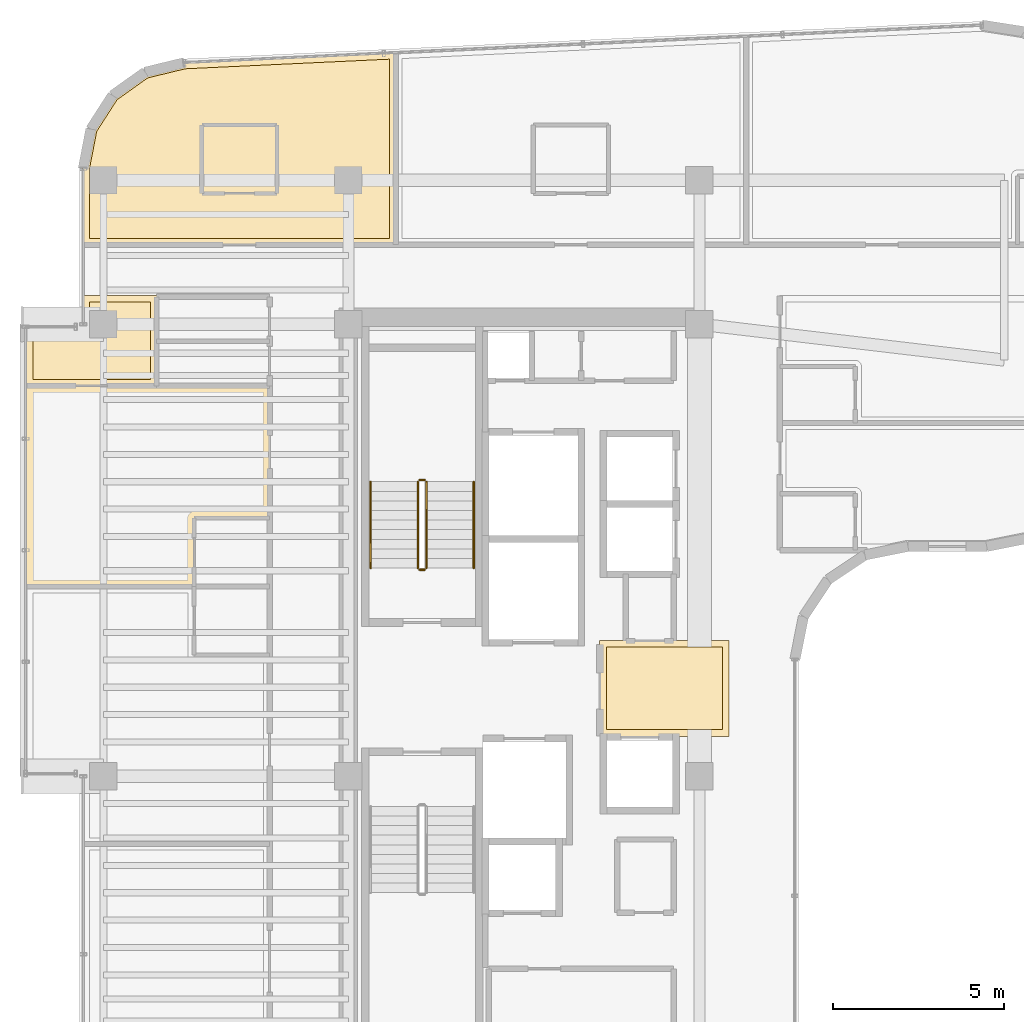
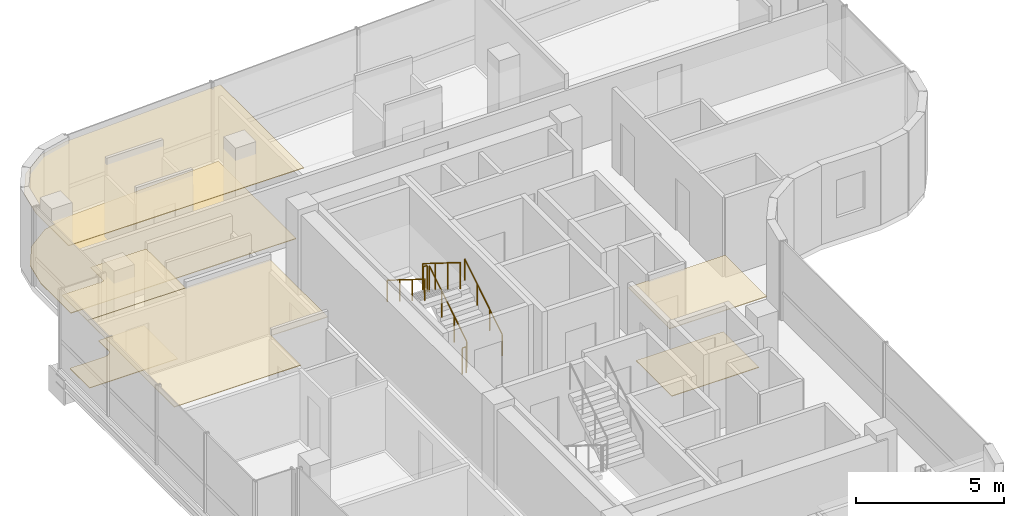
# One storey, part 19 of 20: 7 coverings, 6 railings.
"""IFC4 building model written with IfcOpenShell, lengths in metres."""

from ifc_helpers import new_model, si_unit, direction, frame, origin, origin_2d, place, context, subcontext, project, spatial, polyline, circle, outline, extrude, material, layer, layer_set, type_object, element, save


model = new_model("IFC4")

# Units and contexts
model_context = context("Model", 3, precision=1e-05, world=origin(), true_north=direction((0.0, 1.0)))
body_context = subcontext(model_context, "Body", "Model", "MODEL_VIEW")
ifc_project = project(units=[si_unit("LENGTHUNIT", "METRE"), si_unit("AREAUNIT", "SQUARE_METRE"), si_unit("VOLUMEUNIT", "CUBIC_METRE"), si_unit("PLANEANGLEUNIT", "RADIAN"), si_unit("MASSUNIT", "GRAM", prefix="KILO")], contexts=[model_context])

# Site, building, storey
site_placement = place(None, origin())
site = spatial("IfcSite", under=ifc_project, at=site_placement, CompositionType="ELEMENT")
building_placement = place(site_placement, origin())
building = spatial("IfcBuilding", under=site, at=building_placement, Name="Valdorenza Pilgrim Sanctuary Tower", CompositionType="ELEMENT")
storey_placement = place(building_placement, frame((0.0, 0.0, 240.5)))
storey = spatial("IfcBuildingStorey", under=building, at=storey_placement, Name="L62", CompositionType="ELEMENT", Elevation=240.5)

# Coverings
ifc_material_1 = material(Name="Micro-perforated acoustic mineral ceiling tile", Category="gypsum")
ifc_layer_1 = layer(ifc_material_1, 0.02490234375, Name="Micro-perforated acoustic mineral ceiling tile")
ifc_layer_set_1 = layer_set([ifc_layer_1], Name="Micro-perforated acoustic mineral ceiling tile")
covering_type_1 = type_object("IfcCoveringType", Name="COV-CLG-ACU", PredefinedType="CEILING", material=ifc_layer_set_1)
covering_1_placement = place(storey_placement, frame((0.0, 0.0, 2.9599609375)))
element("IfcCovering", 1, at=covering_1_placement, inside=storey, type_object=covering_type_1, Name="L62 Core A Passenger Lift Lobby Acoustic Ceiling", PredefinedType="CEILING", context=body_context, shape_type="SweptSolid", body=[
    extrude(outline(polyline([(-15.31494140625, 1.35009765625), (-15.31494140625, 1.3515625), (-15.314697265625, 1.352783203125), (-15.314453125, 1.3544921875), (-15.31396484375, 1.355712890625), (-15.313232421875, 1.357177734375), (-15.3125, 1.3583984375), (-15.3115234375, 1.359619140625), (-15.310546875, 1.360595703125), (-15.3095703125, 1.361572265625), (-15.308349609375, 1.362548828125), (-15.30712890625, 1.36328125), (-15.3056640625, 1.364013671875), (-15.304443359375, 1.364501953125), (-15.302978515625, 1.36474609375), (-15.301513671875, 1.364990234375), (-15.300048828125, 1.364990234375), (-11.550048828125, 1.364990234375), (-11.548583984375, 1.364990234375), (-11.547119140625, 1.36474609375), (-11.545654296875, 1.364501953125), (-11.544189453125, 1.364013671875), (-11.54296875, 1.36328125), (-11.541748046875, 1.362548828125), (-11.54052734375, 1.361572265625), (-11.539306640625, 1.360595703125), (-11.538330078125, 1.359619140625), (-11.53759765625, 1.3583984375), (-11.536865234375, 1.357177734375), (-11.5361328125, 1.355712890625), (-11.53564453125, 1.3544921875), (-11.535400390625, 1.352783203125), (-11.53515625, 1.3515625), (-11.534912109375, 1.35009765625), (-11.534912109375, -1.419921875), (-11.53515625, -1.42138671875), (-11.535400390625, -1.4228515625), (-11.53564453125, -1.42431640625), (-11.5361328125, -1.42578125), (-11.536865234375, -1.427001953125), (-11.53759765625, -1.42822265625), (-11.538330078125, -1.429443359375), (-11.539306640625, -1.4306640625), (-11.54052734375, -1.431640625), (-11.541748046875, -1.4326171875), (-11.54296875, -1.43310546875), (-11.544189453125, -1.433837890625), (-11.545654296875, -1.434326171875), (-11.547119140625, -1.434814453125), (-11.548583984375, -1.434814453125), (-11.550048828125, -1.43505859375), (-15.298095703125, -1.43505859375), (-15.299560546875, -1.434814453125), (-15.30078125, -1.434814453125), (-15.302490234375, -1.434326171875), (-15.3037109375, -1.433837890625), (-15.30517578125, -1.43310546875), (-15.306396484375, -1.4326171875), (-15.3076171875, -1.431640625), (-15.30859375, -1.4306640625), (-15.3095703125, -1.429443359375), (-15.310546875, -1.42822265625), (-15.311279296875, -1.427001953125), (-15.31201171875, -1.42578125), (-15.3125, -1.42431640625), (-15.312744140625, -1.4228515625), (-15.31298828125, -1.42138671875), (-15.31298828125, -1.419921875), (-15.31298828125, 1.244384765625), (-15.31298828125, 1.24462890625), (-15.313720703125, 1.24609375), (-15.314208984375, 1.24755859375), (-15.314697265625, 1.2490234375), (-15.31494140625, 1.25048828125), (-15.31494140625, 1.251953125), (-15.31494140625, 1.35009765625)])), origin(), (0.0, 0.0, 1.0), 0.025146484375),
])
covering_2_placement = place(storey_placement, frame((0.0, 0.0, 2.9599609375)))
element("IfcCovering", 2, at=covering_2_placement, inside=storey, type_object=covering_type_1, Name="L62 Pilgrim Scholar Office L62-WN Acoustic Ceiling", PredefinedType="CEILING", context=body_context, shape_type="SweptSolid", body=[
    extrude(outline(polyline([(-28.237060546875, 11.39453125), (-28.237060546875, 10.103759765625), (-28.23681640625, 10.10302734375), (-28.23681640625, 10.1015625), (-28.23681640625, 10.10009765625), (-28.23681640625, 10.098388671875), (-28.237060546875, 10.09814453125), (-28.237060546875, 8.800048828125), (-28.237060546875, 8.798583984375), (-28.2373046875, 8.797119140625), (-28.237548828125, 8.795654296875), (-28.238037109375, 8.794189453125), (-28.23876953125, 8.79296875), (-28.239501953125, 8.791748046875), (-28.240478515625, 8.79052734375), (-28.241455078125, 8.789306640625), (-28.242431640625, 8.788330078125), (-28.24365234375, 8.78759765625), (-28.244873046875, 8.786865234375), (-28.246337890625, 8.7861328125), (-28.24755859375, 8.78564453125), (-28.2490234375, 8.785400390625), (-28.25048828125, 8.78515625), (-28.251953125, 8.784912109375), (-32.0400390625, 8.784912109375), (-32.04150390625, 8.78515625), (-32.04296875, 8.785400390625), (-32.04443359375, 8.78564453125), (-32.045654296875, 8.7861328125), (-32.047119140625, 8.786865234375), (-32.04833984375, 8.78759765625), (-32.049560546875, 8.788330078125), (-32.050537109375, 8.789306640625), (-32.051513671875, 8.79052734375), (-32.052490234375, 8.791748046875), (-32.05322265625, 8.79296875), (-32.053955078125, 8.794189453125), (-32.054443359375, 8.795654296875), (-32.0546875, 8.797119140625), (-32.054931640625, 8.798583984375), (-32.054931640625, 8.800048828125), (-32.054931640625, 10.489990234375), (-32.054931640625, 10.491455078125), (-32.0546875, 10.492919921875), (-32.054443359375, 10.494384765625), (-32.053955078125, 10.49560546875), (-32.05322265625, 10.4970703125), (-32.052490234375, 10.498291015625), (-32.051513671875, 10.49951171875), (-32.050537109375, 10.50048828125), (-32.049560546875, 10.501708984375), (-32.04833984375, 10.50244140625), (-32.047119140625, 10.503173828125), (-32.045654296875, 10.50390625), (-32.04443359375, 10.50439453125), (-32.04296875, 10.504638671875), (-32.04150390625, 10.5048828125), (-32.0400390625, 10.5048828125), (-30.50048828125, 10.5048828125), (-30.49072265625, 10.505615234375), (-30.4814453125, 10.5068359375), (-30.472412109375, 10.509033203125), (-30.463623046875, 10.51220703125), (-30.455078125, 10.51611328125), (-30.447265625, 10.52099609375), (-30.439697265625, 10.526611328125), (-30.432861328125, 10.53271484375), (-30.426513671875, 10.539794921875), (-30.4208984375, 10.547119140625), (-30.416259765625, 10.55517578125), (-30.412109375, 10.563720703125), (-30.4091796875, 10.572509765625), (-30.40673828125, 10.58154296875), (-30.405517578125, 10.5908203125), (-30.405029296875, 10.600341796875), (-30.405029296875, 11.419921875), (-30.40478515625, 11.42138671875), (-30.40478515625, 11.4228515625), (-30.404296875, 11.42431640625), (-30.40380859375, 11.42578125), (-30.4033203125, 11.427001953125), (-30.402587890625, 11.42822265625), (-30.401611328125, 11.429443359375), (-30.400634765625, 11.4306640625), (-30.3994140625, 11.431640625), (-30.398193359375, 11.4326171875), (-30.397216796875, 11.43310546875), (-30.395751953125, 11.433837890625), (-30.394287109375, 11.434326171875), (-30.392822265625, 11.434814453125), (-30.3916015625, 11.434814453125), (-30.389892578125, 11.43505859375), (-28.25, 11.43505859375), (-28.24853515625, 11.434814453125), (-28.2470703125, 11.434814453125), (-28.24560546875, 11.434326171875), (-28.244384765625, 11.433837890625), (-28.242919921875, 11.43310546875), (-28.24169921875, 11.4326171875), (-28.240478515625, 11.431640625), (-28.239501953125, 11.4306640625), (-28.23828125, 11.429443359375), (-28.237548828125, 11.42822265625), (-28.23681640625, 11.427001953125), (-28.236083984375, 11.42578125), (-28.235595703125, 11.42431640625), (-28.2353515625, 11.4228515625), (-28.235107421875, 11.42138671875), (-28.235107421875, 11.419921875), (-28.235107421875, 11.402099609375), (-28.235107421875, 11.400390625), (-28.2353515625, 11.39892578125), (-28.235595703125, 11.3974609375), (-28.236083984375, 11.39599609375), (-28.23681640625, 11.394775390625), (-28.237060546875, 11.39453125)])), origin(), (0.0, 0.0, 1.0), 0.025146484375),
])
covering_3_placement = place(storey_placement, frame((0.0, 0.0, 2.9599609375)))
element("IfcCovering", 3, at=covering_3_placement, inside=storey, type_object=covering_type_1, Name="L62 Pilgrim Guest Room L62-HW2 Acoustic Ceiling", PredefinedType="CEILING", context=body_context, shape_type="SweptSolid", body=[
    extrude(outline(polyline([(-28.253662109375, 8.81298828125), (-28.253173828125, 8.81298828125), (-28.25146484375, 8.813232421875), (-28.25, 8.813232421875), (-28.24853515625, 8.81298828125), (-28.248291015625, 8.81298828125), (-24.949951171875, 8.81298828125), (-24.948486328125, 8.81298828125), (-24.947021484375, 8.812744140625), (-24.945556640625, 8.8125), (-24.9443359375, 8.81201171875), (-24.94287109375, 8.811279296875), (-24.941650390625, 8.810546875), (-24.9404296875, 8.8095703125), (-24.939453125, 8.80859375), (-24.9384765625, 8.8076171875), (-24.9375, 8.806396484375), (-24.936767578125, 8.80517578125), (-24.93603515625, 8.8037109375), (-24.935546875, 8.802490234375), (-24.935302734375, 8.80078125), (-24.93505859375, 8.799560546875), (-24.93505859375, 8.798095703125), (-24.93505859375, 4.93798828125), (-24.93505859375, 4.9365234375), (-24.935302734375, 4.93505859375), (-24.935546875, 4.93359375), (-24.93603515625, 4.932373046875), (-24.936767578125, 4.930908203125), (-24.9375, 4.9296875), (-24.9384765625, 4.928466796875), (-24.939453125, 4.927490234375), (-24.9404296875, 4.926513671875), (-24.941650390625, 4.925537109375), (-24.94287109375, 4.9248046875), (-24.9443359375, 4.924072265625), (-24.945556640625, 4.923583984375), (-24.947021484375, 4.92333984375), (-24.948486328125, 4.923095703125), (-24.949951171875, 4.923095703125), (-27.136962890625, 4.923095703125), (-27.136962890625, 2.93798828125), (-27.13720703125, 2.9365234375), (-27.13720703125, 2.93505859375), (-27.1376953125, 2.93359375), (-27.13818359375, 2.932373046875), (-27.138916015625, 2.930908203125), (-27.139404296875, 2.9296875), (-27.140380859375, 2.928466796875), (-27.141357421875, 2.927490234375), (-27.142578125, 2.926513671875), (-27.143798828125, 2.925537109375), (-27.14501953125, 2.9248046875), (-27.146240234375, 2.924072265625), (-27.147705078125, 2.923583984375), (-27.149169921875, 2.92333984375), (-27.150390625, 2.923095703125), (-27.152099609375, 2.923095703125), (-32.0400390625, 2.923095703125), (-32.04150390625, 2.923095703125), (-32.04296875, 2.92333984375), (-32.04443359375, 2.923583984375), (-32.045654296875, 2.924072265625), (-32.047119140625, 2.9248046875), (-32.04833984375, 2.925537109375), (-32.049560546875, 2.926513671875), (-32.050537109375, 2.927490234375), (-32.051513671875, 2.928466796875), (-32.052490234375, 2.9296875), (-32.05322265625, 2.930908203125), (-32.053955078125, 2.932373046875), (-32.054443359375, 2.93359375), (-32.0546875, 2.93505859375), (-32.054931640625, 2.9365234375), (-32.054931640625, 2.93798828125), (-32.054931640625, 8.798095703125), (-32.054931640625, 8.799560546875), (-32.0546875, 8.80078125), (-32.054443359375, 8.802490234375), (-32.053955078125, 8.8037109375), (-32.05322265625, 8.80517578125), (-32.052490234375, 8.806396484375), (-32.051513671875, 8.8076171875), (-32.050537109375, 8.80859375), (-32.049560546875, 8.8095703125), (-32.04833984375, 8.810546875), (-32.047119140625, 8.811279296875), (-32.045654296875, 8.81201171875), (-32.04443359375, 8.8125), (-32.04296875, 8.812744140625), (-32.04150390625, 8.81298828125), (-32.0400390625, 8.81298828125), (-28.253662109375, 8.81298828125)])), origin(), (0.0, 0.0, 1.0), 0.025146484375),
])
covering_4_placement = place(storey_placement, frame((0.0, 0.0, 2.9599609375)))
element("IfcCovering", 4, at=covering_4_placement, inside=storey, type_object=covering_type_1, Name="L62 North Guest Room L62-N1 Acoustic Ceiling", PredefinedType="CEILING", context=body_context, shape_type="SweptSolid", body=[
    extrude(outline(polyline([(-30.181396484375, 16.298095703125), (-30.180908203125, 16.299560546875), (-30.180419921875, 16.30078125), (-30.179931640625, 16.30224609375), (-30.17919921875, 16.303466796875), (-29.547119140625, 17.286865234375), (-29.546142578125, 17.2880859375), (-29.545166015625, 17.2890625), (-29.544189453125, 17.2900390625), (-29.54296875, 17.291015625), (-28.59033203125, 17.968994140625), (-28.589111328125, 17.9697265625), (-28.587890625, 17.97021484375), (-28.586669921875, 17.970947265625), (-28.585205078125, 17.97119140625), (-27.438720703125, 18.248779296875), (-27.437255859375, 18.249267578125), (-27.435791015625, 18.249267578125), (-21.267578125, 18.5400390625), (-21.26611328125, 18.5400390625), (-21.2646484375, 18.539794921875), (-21.26318359375, 18.53955078125), (-21.26171875, 18.5390625), (-21.260498046875, 18.53857421875), (-21.259033203125, 18.537841796875), (-21.2578125, 18.536865234375), (-21.256591796875, 18.535888671875), (-21.255615234375, 18.534912109375), (-21.254638671875, 18.53369140625), (-21.25390625, 18.532470703125), (-21.253173828125, 18.531005859375), (-21.252685546875, 18.529541015625), (-21.252197265625, 18.528076171875), (-21.252197265625, 18.526611328125), (-21.251953125, 18.525146484375), (-21.251953125, 12.919921875), (-21.252197265625, 12.91845703125), (-21.252197265625, 12.9169921875), (-21.252685546875, 12.91552734375), (-21.253173828125, 12.914306640625), (-21.25390625, 12.912841796875), (-21.25439453125, 12.91162109375), (-21.25537109375, 12.910400390625), (-21.25634765625, 12.909423828125), (-21.257568359375, 12.908447265625), (-21.2587890625, 12.907470703125), (-21.260009765625, 12.90673828125), (-21.26123046875, 12.906005859375), (-21.2626953125, 12.905517578125), (-21.26416015625, 12.9052734375), (-21.265380859375, 12.905029296875), (-21.26708984375, 12.905029296875), (-30.389892578125, 12.905029296875), (-30.3916015625, 12.905029296875), (-30.392822265625, 12.9052734375), (-30.394287109375, 12.905517578125), (-30.395751953125, 12.906005859375), (-30.397216796875, 12.90673828125), (-30.398193359375, 12.907470703125), (-30.3994140625, 12.908447265625), (-30.400634765625, 12.909423828125), (-30.401611328125, 12.910400390625), (-30.402587890625, 12.91162109375), (-30.4033203125, 12.912841796875), (-30.40380859375, 12.914306640625), (-30.404296875, 12.91552734375), (-30.40478515625, 12.9169921875), (-30.40478515625, 12.91845703125), (-30.405029296875, 12.919921875), (-30.405029296875, 15.13671875), (-30.40478515625, 15.13818359375), (-30.40478515625, 15.1396484375), (-30.181396484375, 16.298095703125)])), origin(), (0.0, 0.0, 1.0), 0.025146484375),
])
ifc_material_2 = material(Name="Engineered European oak timber flooring", Category="wood")
ifc_layer_2 = layer(ifc_material_2, 0.02197265625, Name="Engineered European oak timber flooring")
ifc_layer_set_2 = layer_set([ifc_layer_2], Name="Engineered European oak timber flooring")
covering_type_2 = type_object("IfcCoveringType", Name="COV-FLR-OAK", PredefinedType="FLOORING", material=ifc_layer_set_2)
covering_5_placement = place(storey_placement, origin())
element("IfcCovering", 5, at=covering_5_placement, inside=storey, type_object=covering_type_2, Name="L62 North Guest Room L62-N1 Flooring", PredefinedType="FLOORING", context=body_context, shape_type="SweptSolid", body=[
    extrude(outline(polyline([(-29.996337890625, 16.227294921875), (-29.401611328125, 17.152099609375), (-28.505615234375, 17.789794921875), (-27.409423828125, 18.055419921875), (-21.447021484375, 18.33642578125), (-21.447021484375, 13.10009765625), (-30.2099609375, 13.10009765625), (-30.2099609375, 15.11962890625), (-29.996337890625, 16.227294921875)])), origin(), (0.0, 0.0, 1.0), 0.02490234375),
])
ifc_material_3 = material(Name="Honed travertine stone flooring", Category="masonry")
ifc_layer_3 = layer(ifc_material_3, 0.030029296875, Name="Honed travertine stone flooring")
ifc_layer_set_3 = layer_set([ifc_layer_3], Name="Honed travertine stone flooring")
covering_type_3 = type_object("IfcCoveringType", Name="COV-FLR-TRV", PredefinedType="FLOORING", material=ifc_layer_set_3)
covering_6_placement = place(storey_placement, origin())
element("IfcCovering", 6, at=covering_6_placement, inside=storey, type_object=covering_type_3, Name="L62 Core A Passenger Lift Lobby Flooring", PredefinedType="FLOORING", context=body_context, shape_type="SweptSolid", body=[
    extrude(outline(polyline([(-15.117919921875, 1.169921875), (-11.72998046875, 1.169921875), (-11.72998046875, -1.239990234375), (-15.117919921875, -1.239990234375), (-15.117919921875, 1.169921875)])), origin(), (0.0, 0.0, 1.0), 0.02490234375),
])
covering_7_placement = place(storey_placement, origin())
element("IfcCovering", 7, at=covering_7_placement, inside=storey, type_object=covering_type_3, Name="L62 Pilgrim Scholar Office L62-WN Flooring", PredefinedType="FLOORING", context=body_context, shape_type="SweptSolid", body=[
    extrude(outline(polyline([(-28.431884765625, 11.239990234375), (-28.431884765625, 10.10205078125), (-28.431884765625, 10.10107421875), (-28.431884765625, 10.100341796875), (-28.431884765625, 10.10009765625), (-28.431884765625, 8.97998046875), (-31.860107421875, 8.97998046875), (-31.860107421875, 10.31005859375), (-30.5, 10.31005859375), (-30.4912109375, 10.310302734375), (-30.48046875, 10.310791015625), (-30.462890625, 10.3125), (-30.4521484375, 10.314208984375), (-30.434814453125, 10.3173828125), (-30.42431640625, 10.320068359375), (-30.407470703125, 10.3251953125), (-30.397216796875, 10.328857421875), (-30.380859375, 10.335693359375), (-30.37109375, 10.34033203125), (-30.355712890625, 10.3486328125), (-30.34619140625, 10.35400390625), (-30.331787109375, 10.364013671875), (-30.322998046875, 10.370361328125), (-30.309326171875, 10.381591796875), (-30.30126953125, 10.388916015625), (-30.288818359375, 10.4013671875), (-30.281494140625, 10.4091796875), (-30.2705078125, 10.423095703125), (-30.263916015625, 10.431640625), (-30.254150390625, 10.4462890625), (-30.24853515625, 10.45556640625), (-30.240234375, 10.47119140625), (-30.235595703125, 10.48095703125), (-30.22900390625, 10.497314453125), (-30.225341796875, 10.50732421875), (-30.22021484375, 10.5244140625), (-30.217529296875, 10.534912109375), (-30.214111328125, 10.552001953125), (-30.21240234375, 10.562744140625), (-30.210693359375, 10.580322265625), (-30.210205078125, 10.59130859375), (-30.2099609375, 10.60009765625), (-30.2099609375, 11.239990234375), (-28.431884765625, 11.239990234375)])), origin(), (0.0, 0.0, 1.0), 0.02490234375),
])

# Railings
ifc_material_4 = material(Name="Stainless steel Grade 316", Category="steel")
railing_type_1 = type_object("IfcRailingType", Name="RLG-GRD-1120", PredefinedType="GUARDRAIL", material=ifc_material_4)
railing_1_placement = place(storey_placement, frame((-20.3701171875, 3.47998046875, 0.175048828125)))
element("IfcRailing", 8, at=railing_1_placement, inside=storey, type_object=railing_type_1, Name="L62 ST-A1 stair guard 1", PredefinedType="GUARDRAIL", context=body_context, shape_type="SweptSolid", body=[
    extrude(circle(Radius=0.02392578125, at=origin_2d()), frame((0.0, 0.0, 1.076171875), z_axis=(0.0, 0.848007534815, 0.529984170421), x_axis=(-1.0, 0.0, 0.0)), (0.0, 0.0, 1.0), 2.9716796875),
    extrude(circle(Radius=0.02099609375, at=origin_2d()), origin(), (0.0, 0.0, 1.0), 1.052001953125),
    extrude(circle(Radius=0.02099609375, at=origin_2d()), frame((0.0, 0.840087890625, 0.52490234375)), (0.0, 0.0, 1.0), 1.052001953125),
    extrude(circle(Radius=0.02099609375, at=origin_2d()), frame((0.0, 1.679931640625, 1.050048828125)), (0.0, 0.0, 1.0), 1.052001953125),
    extrude(circle(Radius=0.02099609375, at=origin_2d()), frame((0.0, 2.52001953125, 1.574951171875)), (0.0, 0.0, 1.0), 1.052001953125),
])
railing_2_placement = place(storey_placement, frame((-20.419921875, 6.050048828125, 1.75)))
element("IfcRailing", 9, at=railing_2_placement, inside=storey, type_object=railing_type_1, Name="L62 ST-A1 stair guard 2", PredefinedType="GUARDRAIL", context=body_context, shape_type="SweptSolid", body=[
    extrude(circle(Radius=0.02392578125, at=origin_2d()), frame((0.0, 0.0, 1.076171875), z_axis=(-1.0, 0.0, 0.0), x_axis=(0.0, -1.0, 0.0)), (0.0, 0.0, 1.0), 0.150146484375),
    extrude(circle(Radius=0.02099609375, at=origin_2d()), origin(), (0.0, 0.0, 1.0), 1.052001953125),
    extrude(circle(Radius=0.02099609375, at=origin_2d()), frame((-0.150146484375, 0.0, 0.0)), (0.0, 0.0, 1.0), 1.052001953125),
])
railing_3_placement = place(storey_placement, frame((-20.6201171875, 6.0, 1.925048828125)))
element("IfcRailing", 10, at=railing_3_placement, inside=storey, type_object=railing_type_1, Name="L62 ST-A1 stair guard 3", PredefinedType="GUARDRAIL", context=body_context, shape_type="SweptSolid", body=[
    extrude(circle(Radius=0.02392578125, at=origin_2d()), frame((0.0, 0.0, 1.076171875), z_axis=(0.0, -0.848007534815, 0.529984170421), x_axis=(1.0, 0.0, 0.0)), (0.0, 0.0, 1.0), 2.9716796875),
    extrude(circle(Radius=0.02099609375, at=origin_2d()), origin(), (0.0, 0.0, 1.0), 1.052001953125),
    extrude(circle(Radius=0.02099609375, at=origin_2d()), frame((0.0, -0.840087890625, 0.52490234375)), (0.0, 0.0, 1.0), 1.052001953125),
    extrude(circle(Radius=0.02099609375, at=origin_2d()), frame((0.0, -1.679931640625, 1.050048828125)), (0.0, 0.0, 1.0), 1.052001953125),
    extrude(circle(Radius=0.02099609375, at=origin_2d()), frame((0.0, -2.52001953125, 1.574951171875)), (0.0, 0.0, 1.0), 1.052001953125),
])
railing_4_placement = place(storey_placement, frame((-20.419921875, 3.429931640625, 0.0)))
element("IfcRailing", 11, at=railing_4_placement, inside=storey, type_object=railing_type_1, Name="L62 ST-A1 stair guard 4", PredefinedType="GUARDRAIL", context=body_context, shape_type="SweptSolid", body=[
    extrude(circle(Radius=0.02392578125, at=origin_2d()), frame((0.0, 0.0, 1.076171875), z_axis=(-1.0, 0.0, 0.0), x_axis=(0.0, -1.0, 0.0)), (0.0, 0.0, 1.0), 0.150146484375),
    extrude(circle(Radius=0.02099609375, at=origin_2d()), origin(), (0.0, 0.0, 1.0), 1.052001953125),
    extrude(circle(Radius=0.02099609375, at=origin_2d()), frame((-0.150146484375, 0.0, 0.0)), (0.0, 0.0, 1.0), 1.052001953125),
])
ifc_material_5 = material(Name="Brushed stainless steel Grade 316", Category="steel")
railing_type_2 = type_object("IfcRailingType", Name="RLG-HND-920", PredefinedType="HANDRAIL", material=ifc_material_5)
railing_5_placement = place(storey_placement, frame((-18.989990234375, 3.47998046875, 0.175048828125)))
element("IfcRailing", 12, at=railing_5_placement, inside=storey, type_object=railing_type_2, Name="L62 ST-A1 stair handrail 1", PredefinedType="HANDRAIL", context=body_context, shape_type="SweptSolid", body=[
    extrude(circle(Radius=0.02392578125, at=origin_2d()), frame((0.0, 0.0, 0.8759765625), z_axis=(0.0, 0.848007534815, 0.529984170421), x_axis=(-1.0, 0.0, 0.0)), (0.0, 0.0, 1.0), 2.9716796875),
    extrude(circle(Radius=0.02099609375, at=origin_2d()), origin(), (0.0, 0.0, 1.0), 0.851806640625),
    extrude(circle(Radius=0.02099609375, at=origin_2d()), frame((0.0, 0.840087890625, 0.52490234375)), (0.0, 0.0, 1.0), 0.851806640625),
    extrude(circle(Radius=0.02099609375, at=origin_2d()), frame((0.0, 1.679931640625, 1.050048828125)), (0.0, 0.0, 1.0), 0.851806640625),
    extrude(circle(Radius=0.02099609375, at=origin_2d()), frame((0.0, 2.52001953125, 1.574951171875)), (0.0, 0.0, 1.0), 0.851806640625),
])
railing_6_placement = place(storey_placement, frame((-22.0, 6.0, 1.925048828125)))
element("IfcRailing", 13, at=railing_6_placement, inside=storey, type_object=railing_type_2, Name="L62 ST-A1 stair handrail 2", PredefinedType="HANDRAIL", context=body_context, shape_type="SweptSolid", body=[
    extrude(circle(Radius=0.02392578125, at=origin_2d()), frame((0.0, 0.0, 0.8759765625), z_axis=(0.0, -0.848007534815, 0.529984170421), x_axis=(1.0, 0.0, 0.0)), (0.0, 0.0, 1.0), 2.9716796875),
    extrude(circle(Radius=0.02099609375, at=origin_2d()), origin(), (0.0, 0.0, 1.0), 0.851806640625),
    extrude(circle(Radius=0.02099609375, at=origin_2d()), frame((0.0, -0.840087890625, 0.52490234375)), (0.0, 0.0, 1.0), 0.851806640625),
    extrude(circle(Radius=0.02099609375, at=origin_2d()), frame((0.0, -1.679931640625, 1.050048828125)), (0.0, 0.0, 1.0), 0.851806640625),
    extrude(circle(Radius=0.02099609375, at=origin_2d()), frame((0.0, -2.52001953125, 1.574951171875)), (0.0, 0.0, 1.0), 0.851806640625),
])

save(model, "model.ifc")
